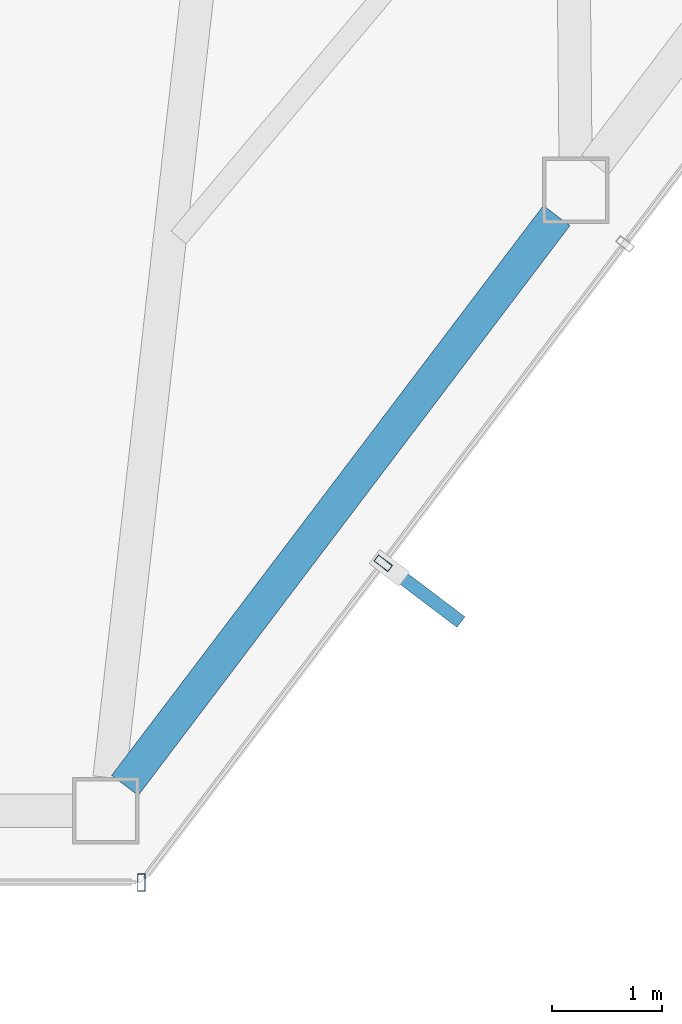
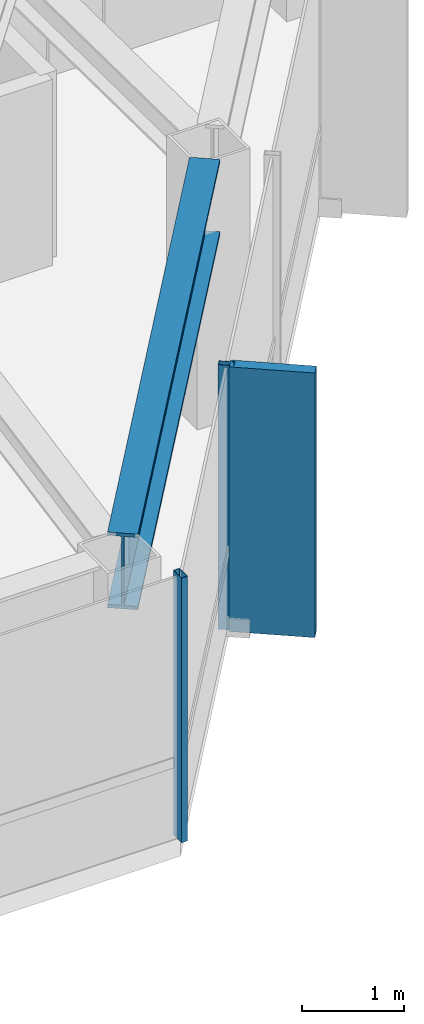
# One storey, part 8 of 28: 3 members, 1 beam, 2 elements without a shape of their own.
"""IFC4 building model written with IfcOpenShell, lengths in metres."""

import ifcopenshell
import ifcopenshell.guid

model = None  # the IFC model being written
_history = None  # IfcOwnerHistory: only IFC2X3 demands one
_inside = {}  # id of a spatial element -> (the spatial element, [elements in it])
_under = {}  # id of a project, library or spatial element -> (it, [spatial elements below it])
_declared = {}  # id of a project -> (the project, [libraries it declares])
_typed = {}  # id of a type object -> (the type object, [elements of that type])
_made_of = {}  # id of a material, layer set ... -> (it, [elements and type objects made of it])


def new_model(schema):
    """Start an empty IFC model of exactly this schema.

    Asked for "IFC4X3", IfcOpenShell would pick the latest addendum, in which some entities
    have other attributes; the version numbers below select the first issue.
    IFC2X3 requires an IfcOwnerHistory on every rooted entity: one is made here for all.
    """
    global model, _history
    if schema == "IFC4X3":
        model = ifcopenshell.file(schema_version=(4, 3, 0, 0))
    else:
        model = ifcopenshell.file(schema=schema)
    _inside.clear()
    _under.clear()
    _declared.clear()
    _typed.clear()
    _made_of.clear()
    _history = None
    if model.schema == "IFC2X3":
        org = make("IfcOrganization", Name="unknown")
        user = make(
            "IfcPersonAndOrganization",
            ThePerson=make("IfcPerson", FamilyName="unknown"),
            TheOrganization=org,
        )
        app = make(
            "IfcApplication",
            ApplicationDeveloper=org,
            Version="unknown",
            ApplicationFullName="unknown",
            ApplicationIdentifier="unknown",
        )
        _history = make(
            "IfcOwnerHistory",
            OwningUser=user,
            OwningApplication=app,
            ChangeAction="ADDED",
            CreationDate=0,
        )
    return model


def make(cls, **values):
    """One entity of the class cls with the attributes given. An attribute that is None is left unset."""
    return model.create_entity(
        cls, **{name: value for name, value in values.items() if value is not None}
    )


def rooted(cls, **values):
    """An entity with a GlobalId (a new one), such as an element, a storey or a relation."""
    return make(cls, GlobalId=ifcopenshell.guid.new(), OwnerHistory=_history, **values)


def si_unit(unit_type, name, prefix=None):
    """IfcSIUnit, for example si_unit("LENGTHUNIT", "METRE", prefix="MILLI")."""
    return make("IfcSIUnit", UnitType=unit_type, Prefix=prefix, Name=name)


def assignment(units):
    """IfcUnitAssignment: the units of a project."""
    return None if units is None else make("IfcUnitAssignment", Units=units)


def point(xyz):
    """IfcCartesianPoint."""
    return None if xyz is None else make("IfcCartesianPoint", Coordinates=xyz)


def direction(xyz):
    """IfcDirection."""
    return None if xyz is None else make("IfcDirection", DirectionRatios=xyz)


def frame(location, z_axis=None, x_axis=None):
    """IfcAxis2Placement3D, a coordinate frame: its origin and axes. An axis left out is left unset."""
    return make(
        "IfcAxis2Placement3D",
        Location=point(location),
        Axis=direction(z_axis),
        RefDirection=direction(x_axis),
    )


def frame_2d(location, x_axis=None):
    """IfcAxis2Placement2D, a coordinate frame in the plane: its origin and x axis."""
    return make(
        "IfcAxis2Placement2D", Location=point(location), RefDirection=direction(x_axis)
    )


def origin():
    """The frame at (0, 0, 0) with its axes left unset."""
    return frame((0.0, 0.0, 0.0))


def origin_2d():
    """The frame at (0, 0) in the plane with its x axis left unset."""
    return frame_2d((0.0, 0.0))


def place(relative_to, where):
    """IfcLocalPlacement: puts the frame where relative to a parent placement (None: the world)."""
    return make(
        "IfcLocalPlacement", PlacementRelTo=relative_to, RelativePlacement=where
    )


def context(
    kind, dimensions, precision=None, world=None, true_north=None, identifier=None
):
    """IfcGeometricRepresentationContext, for example the 3D "Model" context."""
    return make(
        "IfcGeometricRepresentationContext",
        ContextIdentifier=identifier,
        ContextType=kind,
        CoordinateSpaceDimension=dimensions,
        Precision=precision,
        WorldCoordinateSystem=world,
        TrueNorth=true_north,
    )


def subcontext(parent, identifier, kind, view, scale=None):
    """IfcGeometricRepresentationSubContext, for example "Body" below "Model"."""
    return make(
        "IfcGeometricRepresentationSubContext",
        ContextIdentifier=identifier,
        ContextType=kind,
        ParentContext=parent,
        TargetScale=scale,
        TargetView=view,
    )


def project(units=None, contexts=None):
    """IfcProject with its units and contexts."""
    return rooted(
        "IfcProject",
        Name="project",
        RepresentationContexts=contexts,
        UnitsInContext=assignment(units),
    )


def spatial(cls, under=None, at=None, **own):
    """A site, building, storey or space (cls), placed at a placement, below another one or the project."""
    s = rooted(cls, ObjectPlacement=at, **own)
    if under is not None:
        _under.setdefault(under.id(), (under, []))[1].append(s)
    return s


def profile(cls, at=None, kind="AREA", **sizes):
    """A parametric profile (cls). Its sizes go by their IFC names, for example OverallWidth=200.0."""
    return make(cls, ProfileType=kind, Position=at, **sizes)


def rectangle(**sizes):
    """IfcRectangleProfileDef."""
    return profile("IfcRectangleProfileDef", **sizes)


def hollow_rectangle(**sizes):
    """IfcRectangleHollowProfileDef."""
    return profile("IfcRectangleHollowProfileDef", **sizes)


def i_section(**sizes):
    """IfcIShapeProfileDef."""
    return profile("IfcIShapeProfileDef", **sizes)


def extrude(swept, where, along, depth):
    """IfcExtrudedAreaSolid: the profile swept, set in the frame where, extruded along a direction by depth."""
    return make(
        "IfcExtrudedAreaSolid",
        SweptArea=swept,
        Position=where,
        ExtrudedDirection=direction(along),
        Depth=depth,
    )


def shape(context_of_items, identifier, shape_type, items):
    """IfcShapeRepresentation: the items that make up one representation, for example the "Body"."""
    return make(
        "IfcShapeRepresentation",
        ContextOfItems=context_of_items,
        RepresentationIdentifier=identifier,
        RepresentationType=shape_type,
        Items=items,
    )


def material(Name=None, Category=None):
    """IfcMaterial."""
    return make("IfcMaterial", Name=Name, Category=Category)


def layer(
    of_material, thickness, ventilated=None, Name=None, Category=None, Priority=None
):
    """IfcMaterialLayer: one layer of a wall or slab, of a material (None: an air gap)."""
    return make(
        "IfcMaterialLayer",
        Material=of_material,
        LayerThickness=thickness,
        IsVentilated=ventilated,
        Name=Name,
        Category=Category,
        Priority=Priority,
    )


def layer_set(layers, Name=None):
    """IfcMaterialLayerSet."""
    return make("IfcMaterialLayerSet", MaterialLayers=layers, LayerSetName=Name)


def material_profile(
    of_material, cross_section, Name=None, Category=None, Priority=None
):
    """IfcMaterialProfile: a cross section and its material."""
    return make(
        "IfcMaterialProfile",
        Name=Name,
        Material=of_material,
        Profile=cross_section,
        Priority=Priority,
        Category=Category,
    )


def profile_set(profiles, Name=None, composite=None):
    """IfcMaterialProfileSet."""
    return make(
        "IfcMaterialProfileSet",
        Name=Name,
        MaterialProfiles=profiles,
        CompositeProfile=composite,
    )


def made_of(thing, what):
    """Note that an element or type object is made of a material, layer set ...; save() writes the relation."""
    if what is not None:
        _made_of.setdefault(what.id(), (what, []))[1].append(thing)
    return thing


def type_object(cls, material=None, **own):
    """A type object (cls), such as IfcWallType, which elements share."""
    return made_of(rooted(cls, **own), material)


def element(
    cls,
    number,
    at=None,
    inside=None,
    cuts=None,
    type_object=None,
    material=None,
    context=None,
    identifier="Body",
    shape_type=None,
    held_by="IfcProductDefinitionShape",
    body=None,
    shapes=None,
    **own,
):
    """One element of the class cls, such as IfcWall. Its Tag is "e" and its number.

    at: its placement. inside: the storey or other place that contains it. cuts: it is an
    opening in that element (IfcRelVoidsElement). A single representation is given by context,
    identifier, shape_type and body (its items); several are given by shapes. held_by: the class
    of the entity that holds the representations. save() writes the other relations.
    """
    e = rooted(cls, Tag="e%d" % number, ObjectPlacement=at, **own)
    if body is not None:
        shapes = [shape(context, identifier, shape_type, body)]
    if shapes is not None:
        e.Representation = make(held_by, Representations=shapes)
    if inside is not None:
        _inside.setdefault(inside.id(), (inside, []))[1].append(e)
    if cuts is not None:
        rooted(
            "IfcRelVoidsElement", RelatingBuildingElement=cuts, RelatedOpeningElement=e
        )
    if type_object is not None:
        _typed.setdefault(type_object.id(), (type_object, []))[1].append(e)
    return made_of(e, material)


def aggregate(whole, parts):
    """IfcRelAggregates: a whole, such as a stair, and the parts it consists of."""
    return rooted("IfcRelAggregates", RelatingObject=whole, RelatedObjects=parts)


def save(model, path):
    """Write the relations noted so far, then the file.

    IfcRelAggregates (storeys below a building ...), IfcRelContainedInSpatialStructure (elements
    in a storey), IfcRelDefinesByType, IfcRelAssociatesMaterial and IfcRelDeclares: one each for
    every whole, place, type object, material and project.
    """
    for whole, parts in _under.values():
        aggregate(whole, parts)
    for where, things in _inside.values():
        rooted(
            "IfcRelContainedInSpatialStructure",
            RelatedElements=things,
            RelatingStructure=where,
        )
    for kind, things in _typed.values():
        rooted("IfcRelDefinesByType", RelatedObjects=things, RelatingType=kind)
    for what, things in _made_of.values():
        rooted("IfcRelAssociatesMaterial", RelatedObjects=things, RelatingMaterial=what)
    for by, libraries in _declared.values():
        rooted("IfcRelDeclares", RelatingContext=by, RelatedDefinitions=libraries)
    model.write(path)


model = new_model("IFC4")

# Units and contexts
model_context = context("Model", 3, precision=1e-05, world=origin(), true_north=direction((0.0, 1.0)))
body_context = subcontext(model_context, "Body", "Model", "MODEL_VIEW")
ifc_project = project(units=[si_unit("LENGTHUNIT", "METRE"), si_unit("AREAUNIT", "SQUARE_METRE"), si_unit("VOLUMEUNIT", "CUBIC_METRE"), si_unit("PLANEANGLEUNIT", "RADIAN"), si_unit("MASSUNIT", "GRAM", prefix="KILO")], contexts=[model_context])

# Site, building, storey
site_placement = place(None, origin())
site = spatial("IfcSite", under=ifc_project, at=site_placement, CompositionType="ELEMENT")
building_placement = place(site_placement, origin())
building = spatial("IfcBuilding", under=site, at=building_placement, Name="Zarrinselat Tower", CompositionType="ELEMENT")
storey_placement = place(building_placement, frame((0.0, 0.0, 222.360107421875)))
storey = spatial("IfcBuildingStorey", under=building, at=storey_placement, Name="L55", CompositionType="ELEMENT", Elevation=222.360107421875)

# Beam
ifc_material_1 = material(Name="Steel S460M", Category="steel")
ifc_material_profile_1 = material_profile(ifc_material_1, i_section(OverallWidth=0.302001953125, OverallDepth=0.909912109375, WebThickness=0.02099609375, FlangeThickness=0.0400390625, at=origin_2d()), Name="HEM 900")
ifc_profile_set_1 = profile_set([ifc_material_profile_1], Name="Steel S460M")
beam_type = type_object("IfcBeamType", Name="BM-HEM900", PredefinedType="BEAM", material=ifc_profile_set_1)
beam_placement = place(storey_placement, frame((44.361083984375, 18.996337890625, 2.724853515625), z_axis=(0.603878711073, 0.797076221144, 0.0), x_axis=(-0.797076221144, 0.603878711073, 0.0)))
element("IfcBeam", 1, at=beam_placement, inside=storey, type_object=beam_type, Name="L55 Perimeter Spandrel Girder SP11", PredefinedType="BEAM", context=body_context, shape_type="SweptSolid", body=[
    extrude(i_section(OverallWidth=0.302001953125, OverallDepth=0.909912109375, WebThickness=0.02099609375, FlangeThickness=0.0400390625, at=origin_2d()), origin(), (0.0, 0.0, 1.0), 6.48388671875),
])

# Curtain wall, member
ifc_material_2 = material(Name="Extruded Aluminium Alloy EN AW-6063 T6", Category="aluminium")
ifc_layer = layer(ifc_material_2, 0.169921875)
ifc_layer_set = layer_set([ifc_layer], Name="Extruded Aluminium Alloy EN AW-6063 T6")
curtain_wall_type = type_object("IfcCurtainWallType", Name="CWS-RES", PredefinedType="NOTDEFINED", material=ifc_layer_set)
curtain_wall_1_placement = place(storey_placement, origin())
curtain_wall_1 = element("IfcCurtainWall", 2, at=curtain_wall_1_placement, inside=storey, type_object=curtain_wall_type, Name="L55 Unitised Curtain Wall CW-L55-E04", PredefinedType="NOTDEFINED")
ifc_material_3 = material(Name="Extruded Aluminium Alloy EN AW-6063 T6", Category="aluminium")
ifc_material_profile_2 = material_profile(ifc_material_3, hollow_rectangle(XDim=0.070068359375, YDim=0.159912109375, WallThickness=0.00390625, at=origin_2d()), Name="RHS 160x70x4")
ifc_profile_set_2 = profile_set([ifc_material_profile_2], Name="Extruded Aluminium Alloy EN AW-6063 T6")
member_type_1 = type_object("IfcMemberType", Name="MEM-CW-MUL2", PredefinedType="MULLION", material=ifc_profile_set_2)
member_1_placement = place(storey_placement, frame((44.51025390625, 18.11669921875, 0.0), z_axis=(0.0, 0.0, 1.0), x_axis=(1.0, 0.0, 0.0)))
member_1 = element("IfcMember", 3, at=member_1_placement, type_object=member_type_1, Name="CW-L55-E04 Mullion 4", PredefinedType="MULLION", context=body_context, shape_type="SweptSolid", body=[
    extrude(hollow_rectangle(XDim=0.070068359375, YDim=0.159912109375, WallThickness=0.00390625, at=origin_2d()), origin(), (0.0, 0.0, 1.0), 3.179931640625),
])
aggregate(curtain_wall_1, [member_1])

# Curtain wall, members
curtain_wall_2_placement = place(storey_placement, origin())
curtain_wall_2 = element("IfcCurtainWall", 4, at=curtain_wall_2_placement, inside=storey, type_object=curtain_wall_type, Name="L55 Unitised Curtain Wall CW-L55-E05", PredefinedType="NOTDEFINED")
member_2_placement = place(storey_placement, frame((46.703369140625, 21.01171875, 0.0), z_axis=(0.0, 0.0, 1.0), x_axis=(0.603859212041, 0.797090993572, 0.0)))
member_2 = element("IfcMember", 5, at=member_2_placement, type_object=member_type_1, Name="CW-L55-E05 Mullion 1", PredefinedType="MULLION", context=body_context, shape_type="SweptSolid", body=[
    extrude(hollow_rectangle(XDim=0.070068359375, YDim=0.159912109375, WallThickness=0.00390625, at=origin_2d()), origin(), (0.0, 0.0, 1.0), 3.179931640625),
])
ifc_material_4 = material(Name="Honed Cream Travertine Stone", Category="masonry")
ifc_material_profile_3 = material_profile(ifc_material_4, rectangle(XDim=0.1201171875, YDim=0.85009765625, at=origin_2d()), Name="FIN 850x120")
ifc_profile_set_3 = profile_set([ifc_material_profile_3], Name="Honed Cream Travertine Stone")
member_type_2 = type_object("IfcMemberType", Name="MEM-STONE-FIN", PredefinedType="USERDEFINED", material=ifc_profile_set_3)
member_3_placement = place(storey_placement, frame((47.070068359375, 20.73388671875, 0.0), z_axis=(0.0, 0.0, 1.0), x_axis=(-0.603859212041, -0.797090993572, 0.0)))
member_3 = element("IfcMember", 6, at=member_3_placement, type_object=member_type_2, Name="L55 Stone Shading Fin CW-L55-E05-01", ObjectType="FIN", PredefinedType="USERDEFINED", context=body_context, shape_type="SweptSolid", body=[
    extrude(rectangle(XDim=0.1201171875, YDim=0.85009765625, at=origin_2d()), origin(), (0.0, 0.0, 1.0), 3.179931640625),
])
aggregate(curtain_wall_2, [member_2, member_3])

save(model, "model.ifc")
